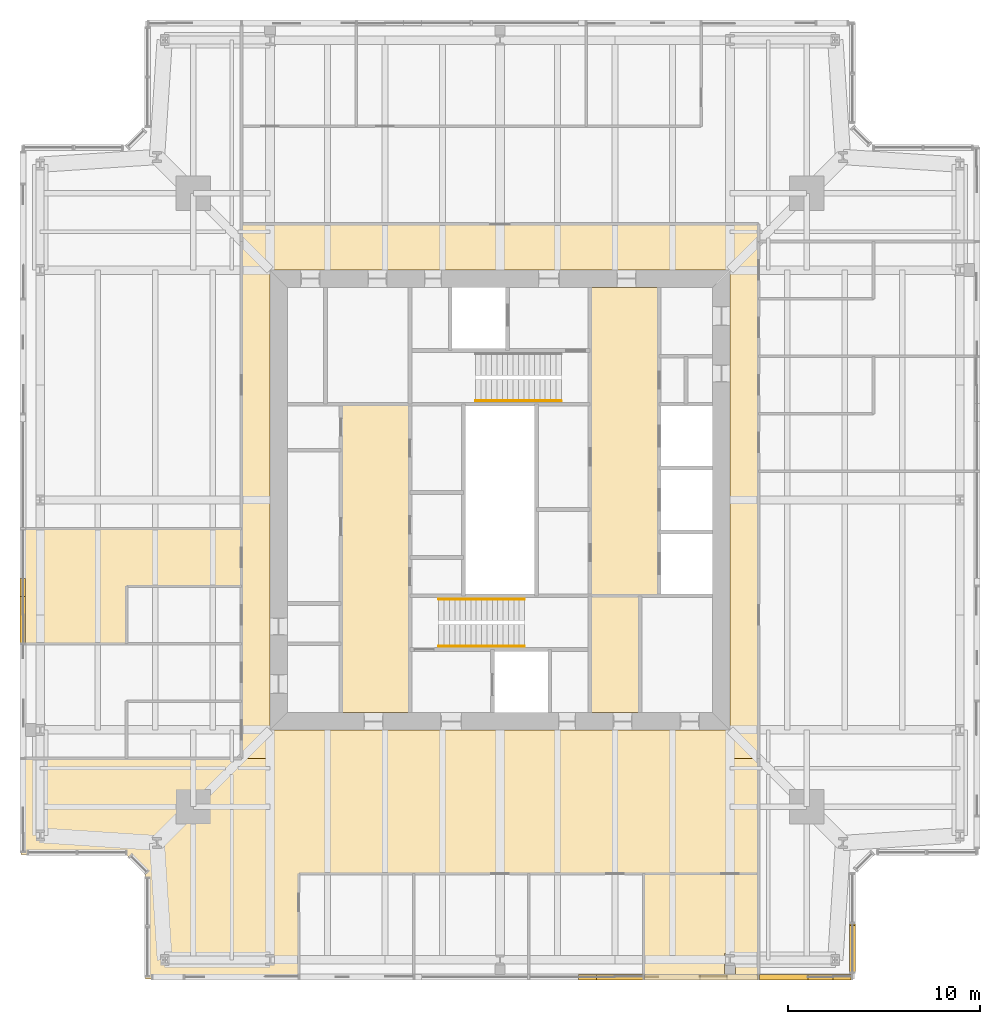
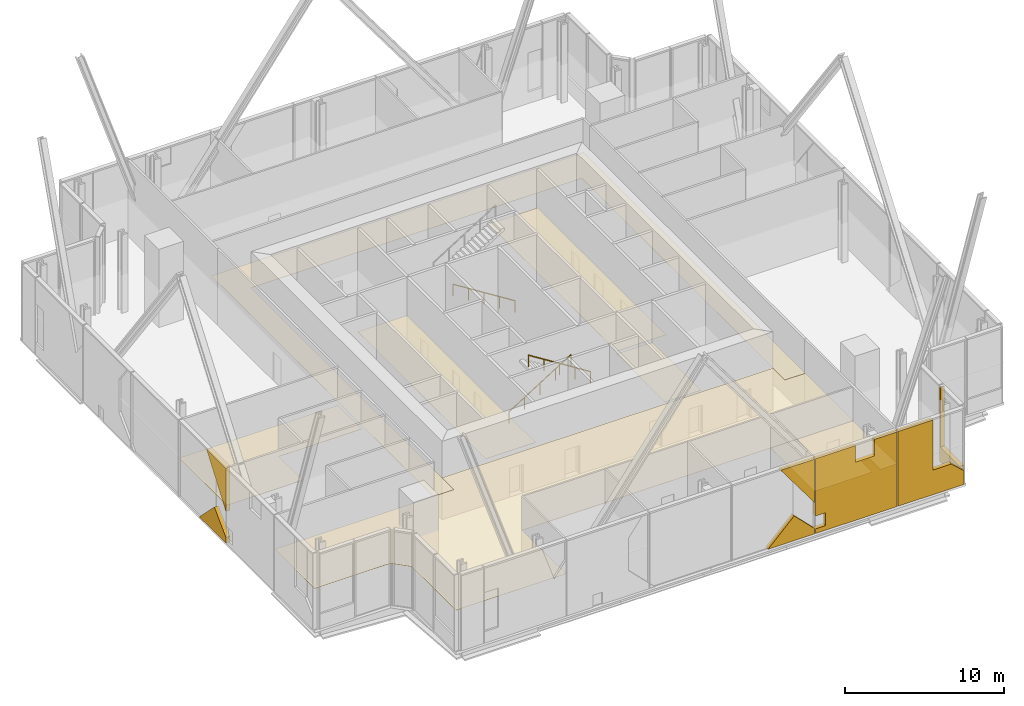
# One storey, part 15 of 20: 14 coverings, 3 railings.
"""IFC4 building model written with IfcOpenShell, lengths in metres."""

import ifcopenshell
import ifcopenshell.guid

model = None  # the IFC model being written
_history = None  # IfcOwnerHistory: only IFC2X3 demands one
_inside = {}  # id of a spatial element -> (the spatial element, [elements in it])
_under = {}  # id of a project, library or spatial element -> (it, [spatial elements below it])
_declared = {}  # id of a project -> (the project, [libraries it declares])
_typed = {}  # id of a type object -> (the type object, [elements of that type])
_made_of = {}  # id of a material, layer set ... -> (it, [elements and type objects made of it])


def new_model(schema):
    """Start an empty IFC model of exactly this schema.

    Asked for "IFC4X3", IfcOpenShell would pick the latest addendum, in which some entities
    have other attributes; the version numbers below select the first issue.
    IFC2X3 requires an IfcOwnerHistory on every rooted entity: one is made here for all.
    """
    global model, _history
    if schema == "IFC4X3":
        model = ifcopenshell.file(schema_version=(4, 3, 0, 0))
    else:
        model = ifcopenshell.file(schema=schema)
    _inside.clear()
    _under.clear()
    _declared.clear()
    _typed.clear()
    _made_of.clear()
    _history = None
    if model.schema == "IFC2X3":
        org = make("IfcOrganization", Name="unknown")
        user = make(
            "IfcPersonAndOrganization",
            ThePerson=make("IfcPerson", FamilyName="unknown"),
            TheOrganization=org,
        )
        app = make(
            "IfcApplication",
            ApplicationDeveloper=org,
            Version="unknown",
            ApplicationFullName="unknown",
            ApplicationIdentifier="unknown",
        )
        _history = make(
            "IfcOwnerHistory",
            OwningUser=user,
            OwningApplication=app,
            ChangeAction="ADDED",
            CreationDate=0,
        )
    return model


def make(cls, **values):
    """One entity of the class cls with the attributes given. An attribute that is None is left unset."""
    return model.create_entity(
        cls, **{name: value for name, value in values.items() if value is not None}
    )


def rooted(cls, **values):
    """An entity with a GlobalId (a new one), such as an element, a storey or a relation."""
    return make(cls, GlobalId=ifcopenshell.guid.new(), OwnerHistory=_history, **values)


def si_unit(unit_type, name, prefix=None):
    """IfcSIUnit, for example si_unit("LENGTHUNIT", "METRE", prefix="MILLI")."""
    return make("IfcSIUnit", UnitType=unit_type, Prefix=prefix, Name=name)


def assignment(units):
    """IfcUnitAssignment: the units of a project."""
    return None if units is None else make("IfcUnitAssignment", Units=units)


def point(xyz):
    """IfcCartesianPoint."""
    return None if xyz is None else make("IfcCartesianPoint", Coordinates=xyz)


def direction(xyz):
    """IfcDirection."""
    return None if xyz is None else make("IfcDirection", DirectionRatios=xyz)


def frame(location, z_axis=None, x_axis=None):
    """IfcAxis2Placement3D, a coordinate frame: its origin and axes. An axis left out is left unset."""
    return make(
        "IfcAxis2Placement3D",
        Location=point(location),
        Axis=direction(z_axis),
        RefDirection=direction(x_axis),
    )


def frame_2d(location, x_axis=None):
    """IfcAxis2Placement2D, a coordinate frame in the plane: its origin and x axis."""
    return make(
        "IfcAxis2Placement2D", Location=point(location), RefDirection=direction(x_axis)
    )


def origin():
    """The frame at (0, 0, 0) with its axes left unset."""
    return frame((0.0, 0.0, 0.0))


def origin_2d():
    """The frame at (0, 0) in the plane with its x axis left unset."""
    return frame_2d((0.0, 0.0))


def place(relative_to, where):
    """IfcLocalPlacement: puts the frame where relative to a parent placement (None: the world)."""
    return make(
        "IfcLocalPlacement", PlacementRelTo=relative_to, RelativePlacement=where
    )


def context(
    kind, dimensions, precision=None, world=None, true_north=None, identifier=None
):
    """IfcGeometricRepresentationContext, for example the 3D "Model" context."""
    return make(
        "IfcGeometricRepresentationContext",
        ContextIdentifier=identifier,
        ContextType=kind,
        CoordinateSpaceDimension=dimensions,
        Precision=precision,
        WorldCoordinateSystem=world,
        TrueNorth=true_north,
    )


def subcontext(parent, identifier, kind, view, scale=None):
    """IfcGeometricRepresentationSubContext, for example "Body" below "Model"."""
    return make(
        "IfcGeometricRepresentationSubContext",
        ContextIdentifier=identifier,
        ContextType=kind,
        ParentContext=parent,
        TargetScale=scale,
        TargetView=view,
    )


def project(units=None, contexts=None):
    """IfcProject with its units and contexts."""
    return rooted(
        "IfcProject",
        Name="project",
        RepresentationContexts=contexts,
        UnitsInContext=assignment(units),
    )


def spatial(cls, under=None, at=None, **own):
    """A site, building, storey or space (cls), placed at a placement, below another one or the project."""
    s = rooted(cls, ObjectPlacement=at, **own)
    if under is not None:
        _under.setdefault(under.id(), (under, []))[1].append(s)
    return s


def polyline(points):
    """IfcPolyline through the points."""
    return make("IfcPolyline", Points=[point(p) for p in points])


def profile(cls, at=None, kind="AREA", **sizes):
    """A parametric profile (cls). Its sizes go by their IFC names, for example OverallWidth=200.0."""
    return make(cls, ProfileType=kind, Position=at, **sizes)


def circle(**sizes):
    """IfcCircleProfileDef."""
    return profile("IfcCircleProfileDef", **sizes)


def outline(outer, holes=None, kind="AREA"):
    """IfcArbitraryClosedProfileDef: a profile drawn as a closed curve; with holes, ...WithVoids."""
    if holes is None:
        return make("IfcArbitraryClosedProfileDef", ProfileType=kind, OuterCurve=outer)
    return make(
        "IfcArbitraryProfileDefWithVoids",
        ProfileType=kind,
        OuterCurve=outer,
        InnerCurves=holes,
    )


def extrude(swept, where, along, depth):
    """IfcExtrudedAreaSolid: the profile swept, set in the frame where, extruded along a direction by depth."""
    return make(
        "IfcExtrudedAreaSolid",
        SweptArea=swept,
        Position=where,
        ExtrudedDirection=direction(along),
        Depth=depth,
    )


def shape(context_of_items, identifier, shape_type, items):
    """IfcShapeRepresentation: the items that make up one representation, for example the "Body"."""
    return make(
        "IfcShapeRepresentation",
        ContextOfItems=context_of_items,
        RepresentationIdentifier=identifier,
        RepresentationType=shape_type,
        Items=items,
    )


def material(Name=None, Category=None):
    """IfcMaterial."""
    return make("IfcMaterial", Name=Name, Category=Category)


def layer(
    of_material, thickness, ventilated=None, Name=None, Category=None, Priority=None
):
    """IfcMaterialLayer: one layer of a wall or slab, of a material (None: an air gap)."""
    return make(
        "IfcMaterialLayer",
        Material=of_material,
        LayerThickness=thickness,
        IsVentilated=ventilated,
        Name=Name,
        Category=Category,
        Priority=Priority,
    )


def layer_set(layers, Name=None):
    """IfcMaterialLayerSet."""
    return make("IfcMaterialLayerSet", MaterialLayers=layers, LayerSetName=Name)


def made_of(thing, what):
    """Note that an element or type object is made of a material, layer set ...; save() writes the relation."""
    if what is not None:
        _made_of.setdefault(what.id(), (what, []))[1].append(thing)
    return thing


def type_object(cls, material=None, **own):
    """A type object (cls), such as IfcWallType, which elements share."""
    return made_of(rooted(cls, **own), material)


def element(
    cls,
    number,
    at=None,
    inside=None,
    cuts=None,
    type_object=None,
    material=None,
    context=None,
    identifier="Body",
    shape_type=None,
    held_by="IfcProductDefinitionShape",
    body=None,
    shapes=None,
    **own,
):
    """One element of the class cls, such as IfcWall. Its Tag is "e" and its number.

    at: its placement. inside: the storey or other place that contains it. cuts: it is an
    opening in that element (IfcRelVoidsElement). A single representation is given by context,
    identifier, shape_type and body (its items); several are given by shapes. held_by: the class
    of the entity that holds the representations. save() writes the other relations.
    """
    e = rooted(cls, Tag="e%d" % number, ObjectPlacement=at, **own)
    if body is not None:
        shapes = [shape(context, identifier, shape_type, body)]
    if shapes is not None:
        e.Representation = make(held_by, Representations=shapes)
    if inside is not None:
        _inside.setdefault(inside.id(), (inside, []))[1].append(e)
    if cuts is not None:
        rooted(
            "IfcRelVoidsElement", RelatingBuildingElement=cuts, RelatedOpeningElement=e
        )
    if type_object is not None:
        _typed.setdefault(type_object.id(), (type_object, []))[1].append(e)
    return made_of(e, material)


def aggregate(whole, parts):
    """IfcRelAggregates: a whole, such as a stair, and the parts it consists of."""
    return rooted("IfcRelAggregates", RelatingObject=whole, RelatedObjects=parts)


def save(model, path):
    """Write the relations noted so far, then the file.

    IfcRelAggregates (storeys below a building ...), IfcRelContainedInSpatialStructure (elements
    in a storey), IfcRelDefinesByType, IfcRelAssociatesMaterial and IfcRelDeclares: one each for
    every whole, place, type object, material and project.
    """
    for whole, parts in _under.values():
        aggregate(whole, parts)
    for where, things in _inside.values():
        rooted(
            "IfcRelContainedInSpatialStructure",
            RelatedElements=things,
            RelatingStructure=where,
        )
    for kind, things in _typed.values():
        rooted("IfcRelDefinesByType", RelatedObjects=things, RelatingType=kind)
    for what, things in _made_of.values():
        rooted("IfcRelAssociatesMaterial", RelatedObjects=things, RelatingMaterial=what)
    for by, libraries in _declared.values():
        rooted("IfcRelDeclares", RelatingContext=by, RelatedDefinitions=libraries)
    model.write(path)


model = new_model("IFC4")

# Units and contexts
model_context = context("Model", 3, precision=1e-05, world=origin(), true_north=direction((0.0, 1.0)))
body_context = subcontext(model_context, "Body", "Model", "MODEL_VIEW")
ifc_project = project(units=[si_unit("LENGTHUNIT", "METRE"), si_unit("AREAUNIT", "SQUARE_METRE"), si_unit("VOLUMEUNIT", "CUBIC_METRE"), si_unit("PLANEANGLEUNIT", "RADIAN"), si_unit("MASSUNIT", "GRAM", prefix="KILO")], contexts=[model_context])

# Site, building, storey
site_placement = place(None, origin())
site = spatial("IfcSite", under=ifc_project, at=site_placement, CompositionType="ELEMENT")
building_placement = place(site_placement, origin())
building = spatial("IfcBuilding", under=site, at=building_placement, Name="Fenwick Lantern Interchange", CompositionType="ELEMENT")
storey_placement = place(building_placement, frame((0.0, 0.0, 239.800048828125)))
storey = spatial("IfcBuildingStorey", under=building, at=storey_placement, Name="L56", CompositionType="ELEMENT", Elevation=239.800048828125)

# Coverings
ifc_material_1 = material(Name="Mineral fibre acoustic tile on suspended grid")
ifc_layer_1 = layer(ifc_material_1, 0.02001953125)
ifc_layer_set_1 = layer_set([ifc_layer_1], Name="ACOUSTIC TILE CEILING 20")
covering_type_1 = type_object("IfcCoveringType", Name="ACOUSTIC TILE CEILING 20", PredefinedType="CEILING", material=ifc_layer_set_1)
covering_1_placement = place(storey_placement, frame((0.0, 0.0, 2.89990234375)))
element("IfcCovering", 1, at=covering_1_placement, inside=storey, type_object=covering_type_1, Name="Office ceiling", PredefinedType="CEILING", context=body_context, shape_type="SweptSolid", body=[
    extrude(outline(polyline([(5.5, 17.5), (5.5, 20.5), (11.5, 20.5), (11.5, 23.5), (0.0, 23.5), (0.0, 17.5), (5.5, 17.5)])), origin(), (0.0, 0.0, 1.0), 0.02001953125),
])
ifc_material_2 = material(Name="Granite cladding, warm grey flamed finish, on aluminium carrier frame", Category="masonry")
ifc_layer_2 = layer(ifc_material_2, 0.300048828125)
ifc_layer_set_2 = layer_set([ifc_layer_2], Name="BRACE CASING PANEL 300")
covering_type_2 = type_object("IfcCoveringType", Name="BRACE CASING PANEL 300", PredefinedType="CLADDING", material=ifc_layer_set_2)
covering_2_placement = place(storey_placement, frame((6.60009765625, 0.10009765625, 0.0), z_axis=(0.0, 0.0, 1.0), x_axis=(1.0, 0.0, 0.0)))
element("IfcCovering", 2, at=covering_2_placement, inside=storey, type_object=covering_type_2, Name="Brace casing 01 bay 04a", PredefinedType="CLADDING", context=body_context, shape_type="SweptSolid", body=[
    extrude(outline(polyline([(22.50439453125, 0.0), (25.860107421875, 0.0), (25.860107421875, 0.435546875), (24.39990234375, 1.8955078125), (22.50439453125, 0.0)])), frame((0.0, 0.14990234375, 0.0), z_axis=(0.0, -1.0, 0.0), x_axis=(1.0, 0.0, 0.0)), (0.0, 0.0, 1.0), 0.300048828125),
])
covering_3_placement = place(storey_placement, frame((6.60009765625, 0.10009765625, 2.431396484375), z_axis=(0.0, 0.0, 1.0), x_axis=(1.0, 0.0, 0.0)))
element("IfcCovering", 3, at=covering_3_placement, inside=storey, type_object=covering_type_2, Name="Brace casing 01 bay 04b", PredefinedType="CLADDING", context=body_context, shape_type="SweptSolid", body=[
    extrude(outline(polyline([(25.860107421875, 0.0), (25.860107421875, 3.298583984375), (23.43017578125, 3.298583984375), (25.860107421875, 0.0)])), frame((0.0, 0.14990234375, 0.0), z_axis=(0.0, -1.0, 0.0), x_axis=(1.0, 0.0, 0.0)), (0.0, 0.0, 1.0), 0.300048828125),
])
covering_4_placement = place(storey_placement, frame((6.60009765625, 0.10009765625, 0.0), z_axis=(0.0, 0.0, 1.0), x_axis=(1.0, 0.0, 0.0)))
element("IfcCovering", 4, at=covering_4_placement, inside=storey, type_object=covering_type_2, Name="Brace casing 01 bay 05a", PredefinedType="CLADDING", context=body_context, shape_type="SweptSolid", body=[
    extrude(outline(polyline([(25.93994140625, 0.0), (31.860107421875, 0.0), (31.860107421875, 5.72998046875), (30.241455078125, 5.72998046875), (30.241455078125, 4.460693359375), (28.83642578125, 4.460693359375), (28.83642578125, 5.72998046875), (25.93994140625, 5.72998046875), (25.93994140625, 1.338623046875), (26.6650390625, 1.338623046875), (26.6650390625, 0.35546875), (25.93994140625, 0.35546875), (25.93994140625, 0.0)])), frame((0.0, 0.14990234375, 0.0), z_axis=(0.0, -1.0, 0.0), x_axis=(1.0, 0.0, 0.0)), (0.0, 0.0, 1.0), 0.300048828125),
])
covering_5_placement = place(storey_placement, frame((6.60009765625, 0.10009765625, 0.0), z_axis=(0.0, 0.0, 1.0), x_axis=(1.0, 0.0, 0.0)))
element("IfcCovering", 5, at=covering_5_placement, inside=storey, type_object=covering_type_2, Name="Brace casing 01 bay 06a", PredefinedType="CLADDING", context=body_context, shape_type="SweptSolid", body=[
    extrude(outline(polyline([(31.93994140625, 0.0), (36.719970703125, 0.0), (36.719970703125, 1.0400390625), (35.789306640625, 1.89306640625), (34.47021484375, 1.89306640625), (34.47021484375, 5.72998046875), (31.93994140625, 5.72998046875), (31.93994140625, 0.0)])), frame((0.0, 0.14990234375, 0.0), z_axis=(0.0, -1.0, 0.0), x_axis=(1.0, 0.0, 0.0)), (0.0, 0.0, 1.0), 0.300048828125),
])
covering_6_placement = place(storey_placement, frame((43.39990234375, 0.10009765625, 0.0), z_axis=(0.0, 0.0, 1.0), x_axis=(0.0, 1.0, 0.0)))
element("IfcCovering", 6, at=covering_6_placement, inside=storey, type_object=covering_type_2, Name="Brace casing 02 bay 00a", PredefinedType="CLADDING", context=body_context, shape_type="SweptSolid", body=[
    extrude(outline(polyline([(0.280029296875, 0.0), (2.78076171875, 0.0), (2.78076171875, 5.72998046875), (2.699951171875, 5.72998046875), (2.699951171875, 1.14990234375), (0.280029296875, 1.14990234375), (0.280029296875, 0.0)])), frame((0.0, 0.14990234375, 0.0), z_axis=(0.0, -1.0, 0.0), x_axis=(1.0, 0.0, 0.0)), (0.0, 0.0, 1.0), 0.300048828125),
])
covering_7_placement = place(storey_placement, frame((0.10009765625, 43.39990234375, 0.0), z_axis=(0.0, 0.0, 1.0), x_axis=(0.0, -1.0, 0.0)))
element("IfcCovering", 7, at=covering_7_placement, inside=storey, type_object=covering_type_2, Name="Brace casing 13 bay 04a", PredefinedType="CLADDING", context=body_context, shape_type="SweptSolid", body=[
    extrude(outline(polyline([(22.50439453125, 0.0), (25.860107421875, 0.0), (25.860107421875, 0.435546875), (24.39990234375, 1.8955078125), (22.50439453125, 0.0)])), frame((0.0, 0.14990234375, 0.0), z_axis=(0.0, -1.0, 0.0), x_axis=(1.0, 0.0, 0.0)), (0.0, 0.0, 1.0), 0.300048828125),
])
covering_8_placement = place(storey_placement, frame((0.10009765625, 43.39990234375, 2.431396484375), z_axis=(0.0, 0.0, 1.0), x_axis=(0.0, -1.0, 0.0)))
element("IfcCovering", 8, at=covering_8_placement, inside=storey, type_object=covering_type_2, Name="Brace casing 13 bay 04b", PredefinedType="CLADDING", context=body_context, shape_type="SweptSolid", body=[
    extrude(outline(polyline([(25.860107421875, 0.0), (25.860107421875, 3.298583984375), (23.43017578125, 3.298583984375), (25.860107421875, 0.0)])), frame((0.0, 0.14990234375, 0.0), z_axis=(0.0, -1.0, 0.0), x_axis=(1.0, 0.0, 0.0)), (0.0, 0.0, 1.0), 0.300048828125),
])

# Railings
ifc_material_3 = material(Name="Stainless steel handrail", Category="steel")
railing_type = type_object("IfcRailingType", Name="HANDRAIL 900", PredefinedType="HANDRAIL", material=ifc_material_3)
railing_placement = place(storey_placement, frame((21.800048828125, 19.825927734375, 0.176513671875)))
element("IfcRailing", 9, at=railing_placement, inside=storey, type_object=railing_type, Name="L56/STAIR/ST1/HR1", PredefinedType="HANDRAIL", context=body_context, shape_type="SweptSolid", body=[
    extrude(circle(Radius=0.02392578125, at=origin_2d()), frame((0.0, 0.0, 0.8759765625), z_axis=(0.845997938375, 0.0, 0.533186166611), x_axis=(0.0, 1.0, 0.0)), (0.0, 0.0, 1.0), 5.29541015625),
    extrude(circle(Radius=0.02099609375, at=origin_2d()), origin(), (0.0, 0.0, 1.0), 0.851806640625),
    extrude(circle(Radius=0.02099609375, at=origin_2d()), frame((1.1201171875, 0.0, 0.705810546875)), (0.0, 0.0, 1.0), 0.851806640625),
    extrude(circle(Radius=0.02099609375, at=origin_2d()), frame((2.239990234375, 0.0, 1.41162109375)), (0.0, 0.0, 1.0), 0.851806640625),
    extrude(circle(Radius=0.02099609375, at=origin_2d()), frame((3.35986328125, 0.0, 2.11767578125)), (0.0, 0.0, 1.0), 0.851806640625),
    extrude(circle(Radius=0.02099609375, at=origin_2d()), frame((4.47998046875, 0.0, 2.823486328125)), (0.0, 0.0, 1.0), 0.851806640625),
])
for number, where, name in (
    (10, (26.280029296875, 17.3740234375, 3.176513671875), "L56/STAIR/ST1/HR2"),
    (11, (28.199951171875, 30.174072265625, 0.176513671875), "L56/STAIR/ST2/HR1"),
):
    element("IfcRailing", number, at=place(storey_placement, frame(where)), inside=storey, type_object=railing_type, Name=name, PredefinedType="HANDRAIL", context=body_context, shape_type="SweptSolid", body=[
        extrude(circle(Radius=0.02392578125, at=origin_2d()), frame((0.0, 0.0, 0.8759765625), z_axis=(-0.845997938375, 0.0, 0.533186166611), x_axis=(0.0, -1.0, 0.0)), (0.0, 0.0, 1.0), 5.29541015625),
        extrude(circle(Radius=0.02099609375, at=origin_2d()), origin(), (0.0, 0.0, 1.0), 0.851806640625),
        extrude(circle(Radius=0.02099609375, at=origin_2d()), frame((-1.1201171875, 0.0, 0.705810546875)), (0.0, 0.0, 1.0), 0.851806640625),
        extrude(circle(Radius=0.02099609375, at=origin_2d()), frame((-2.239990234375, 0.0, 1.41162109375)), (0.0, 0.0, 1.0), 0.851806640625),
        extrude(circle(Radius=0.02099609375, at=origin_2d()), frame((-3.35986328125, 0.0, 2.11767578125)), (0.0, 0.0, 1.0), 0.851806640625),
        extrude(circle(Radius=0.02099609375, at=origin_2d()), frame((-4.47998046875, 0.0, 2.823486328125)), (0.0, 0.0, 1.0), 0.851806640625),
    ])

# Coverings
ifc_material_4 = material(Name="Moisture resistant gypsum board on suspended frame, painted")
ifc_layer_3 = layer(ifc_material_4, 0.014892578125)
ifc_layer_set_3 = layer_set([ifc_layer_3], Name="MOISTURE RESISTANT CEILING 15")
covering_type_3 = type_object("IfcCoveringType", Name="MOISTURE RESISTANT CEILING 15", PredefinedType="CEILING", material=ifc_layer_set_3)
covering_9_placement = place(storey_placement, frame((0.0, 0.0, 2.599853515625)))
element("IfcCovering", 12, at=covering_9_placement, inside=storey, type_object=covering_type_3, Name="Men's WC ceiling", PredefinedType="CEILING", context=body_context, shape_type="SweptSolid", body=[
    extrude(outline(polyline([(29.699951171875, 13.89990234375), (32.300048828125, 13.89990234375), (32.300048828125, 20.0), (29.699951171875, 20.0), (29.699951171875, 13.89990234375)])), origin(), (0.0, 0.0, 1.0), 0.01513671875),
])
ifc_material_5 = material(Name="Gypsum plasterboard on suspended frame, painted")
ifc_layer_4 = layer(ifc_material_5, 0.014892578125)
ifc_layer_set_4 = layer_set([ifc_layer_4], Name="PLASTERBOARD CEILING 15")
covering_type_4 = type_object("IfcCoveringType", Name="PLASTERBOARD CEILING 15", PredefinedType="CEILING", material=ifc_layer_set_4)
covering_10_placement = place(storey_placement, frame((0.0, 0.0, 2.800048828125)))
element("IfcCovering", 13, at=covering_10_placement, inside=storey, type_object=covering_type_4, Name="Lift lobby ceiling", PredefinedType="CEILING", context=body_context, shape_type="SweptSolid", body=[
    extrude(outline(polyline([(16.699951171875, 13.89990234375), (20.300048828125, 13.89990234375), (20.300048828125, 30.0), (16.699951171875, 30.0), (16.699951171875, 13.89990234375)])), origin(), (0.0, 0.0, 1.0), 0.014892578125),
])
covering_11_placement = place(storey_placement, frame((0.0, 0.0, 2.800048828125)))
element("IfcCovering", 14, at=covering_11_placement, inside=storey, type_object=covering_type_4, Name="Lift lobby ceiling", PredefinedType="CEILING", context=body_context, shape_type="SweptSolid", body=[
    extrude(outline(polyline([(33.300048828125, 36.10009765625), (29.699951171875, 36.10009765625), (29.699951171875, 20.0), (33.300048828125, 20.0), (33.300048828125, 36.10009765625)])), origin(), (0.0, 0.0, 1.0), 0.014892578125),
])
covering_12_placement = place(storey_placement, frame((0.0, 0.0, 3.199951171875)))
element("IfcCovering", 15, at=covering_12_placement, inside=storey, type_object=covering_type_4, Name="Hotel lobby ceiling", PredefinedType="CEILING", context=body_context, shape_type="SweptSolid", body=[
    extrude(outline(polyline([(37.0, 11.5), (38.5, 11.5), (38.5, 39.39990234375), (11.5, 39.39990234375), (11.5, 11.5), (13.0, 11.5), (13.0, 37.0), (37.0, 37.0), (37.0, 11.5)])), origin(), (0.0, 0.0, 1.0), 0.014892578125),
])
covering_13_placement = place(storey_placement, frame((0.0, 0.0, 3.199951171875)))
element("IfcCovering", 16, at=covering_13_placement, inside=storey, type_object=covering_type_4, Name="Hotel lounge ceiling", PredefinedType="CEILING", context=body_context, shape_type="SweptSolid", body=[
    extrude(outline(polyline([(0.0, 11.5), (0.0, 6.5), (5.5, 6.5), (6.5, 5.5), (6.5, 0.0), (14.5, 0.0), (14.5, 5.5), (38.5, 5.5), (38.5, 11.5), (37.0, 11.5), (37.0, 13.0), (13.0, 13.0), (13.0, 11.5), (0.0, 11.5)])), origin(), (0.0, 0.0, 1.0), 0.014892578125),
])
covering_14_placement = place(storey_placement, frame((0.0, 0.0, 3.199951171875)))
element("IfcCovering", 17, at=covering_14_placement, inside=storey, type_object=covering_type_4, Name="Concierge ceiling", PredefinedType="CEILING", context=body_context, shape_type="SweptSolid", body=[
    extrude(outline(polyline([(32.5, 0.0), (36.72265625, 0.0), (36.72265625, 1.33447265625), (37.27734375, 1.33447265625), (37.27734375, 0.0), (38.5, 0.0), (38.5, 5.5), (32.5, 5.5), (32.5, 0.0)])), origin(), (0.0, 0.0, 1.0), 0.014892578125),
])

save(model, "model.ifc")
